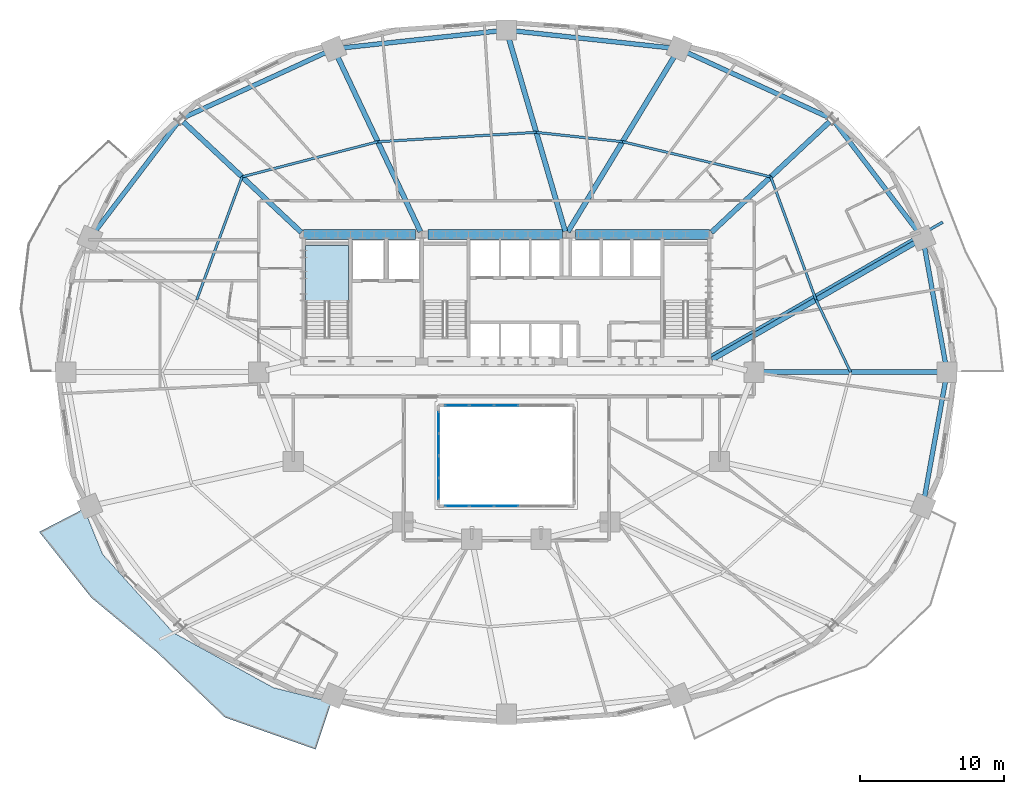
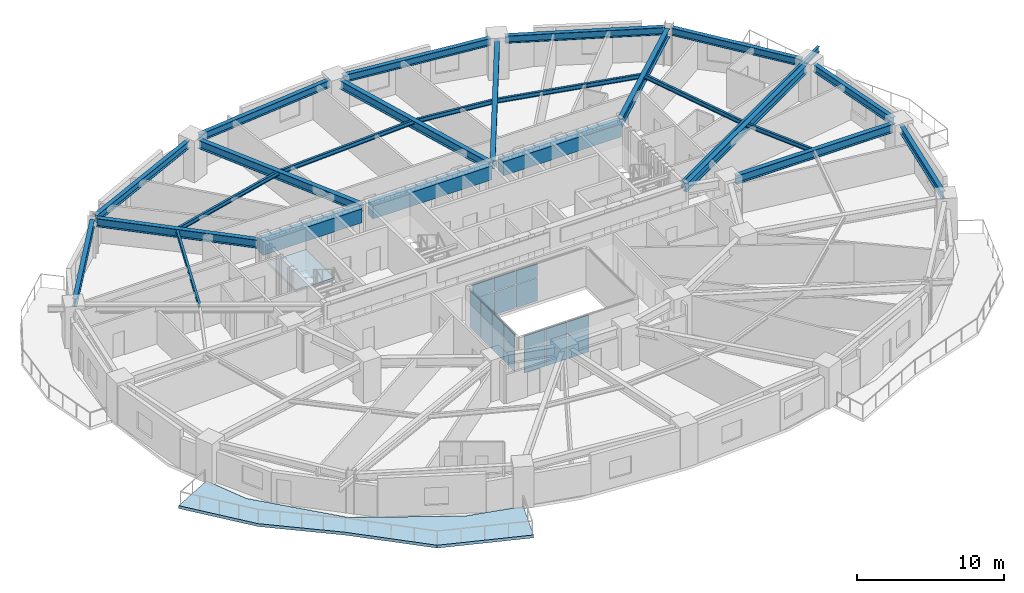
# One storey, part 7 of 17: 26 beams, 20 plates, 2 slabs, 4 elements without a shape of their own.
"""IFC4 building model written with IfcOpenShell, lengths in metres."""

from ifc_helpers import new_model, si_unit, direction, frame, origin, origin_2d, place, context, subcontext, project, spatial, polyline, rectangle, i_section, outline, extrude, material, layer, layer_set, material_profile, profile_set, type_object, element, aggregate, save


model = new_model("IFC4")

# Units and contexts
model_context = context("Model", 3, precision=1e-05, world=origin(), true_north=direction((0.0, 1.0)))
body_context = subcontext(model_context, "Body", "Model", "MODEL_VIEW")
ifc_project = project(units=[si_unit("LENGTHUNIT", "METRE"), si_unit("AREAUNIT", "SQUARE_METRE"), si_unit("VOLUMEUNIT", "CUBIC_METRE"), si_unit("PLANEANGLEUNIT", "RADIAN"), si_unit("MASSUNIT", "GRAM", prefix="KILO")], contexts=[model_context])

# Site, building, storey
site_placement = place(None, origin())
site = spatial("IfcSite", under=ifc_project, at=site_placement, CompositionType="ELEMENT")
building_placement = place(site_placement, origin())
building = spatial("IfcBuilding", under=site, at=building_placement, Name="Haldorwick Loom Tower", CompositionType="ELEMENT")
storey_placement = place(building_placement, frame((0.0, 0.0, 61.949951171875)))
storey = spatial("IfcBuildingStorey", under=building, at=storey_placement, Name="L16", CompositionType="ELEMENT", Elevation=61.949951171875)

# Beams
ifc_material_1 = material(Name="Steel CSA G40.21 350W", Category="steel")
ifc_material_profile_1 = material_profile(ifc_material_1, i_section(OverallWidth=0.193115234375, OverallDepth=0.466064453125, WebThickness=0.011474609375, FlangeThickness=0.01904296875, at=origin_2d()), Name="W460X97", Category="steel")
ifc_profile_set_1 = profile_set([ifc_material_profile_1], Name="Steel CSA G40.21 350W")
beam_type_1 = type_object("IfcBeamType", Name="STR-BM-BAL460", PredefinedType="BEAM", material=ifc_profile_set_1)
beam_1_placement = place(storey_placement, frame((50.125244140625, 27.10498046875, 2.97705078125), z_axis=(0.866607024941, 0.49899124674, 0.0), x_axis=(-0.49899124674, 0.866607024941, 0.0)))
element("IfcBeam", 1, at=beam_1_placement, inside=storey, type_object=beam_type_1, Name="L16 Continuous Back-Spanned Balcony Beam 4", PredefinedType="BEAM", context=body_context, shape_type="SweptSolid", body=[
    extrude(i_section(OverallWidth=0.193115234375, OverallDepth=0.466064453125, WebThickness=0.011474609375, FlangeThickness=0.01904296875, at=origin_2d()), origin(), (0.0, 0.0, 1.0), 18.65771484375),
])
ifc_material_2 = material(Name="Concrete C60 (60 MPa)", Category="concrete")
ifc_material_profile_2 = material_profile(ifc_material_2, rectangle(XDim=0.699951171875, YDim=1.14990234375, at=origin_2d()), Name="RC700X1150", Category="concrete")
ifc_profile_set_2 = profile_set([ifc_material_profile_2], Name="Concrete C60 (60 MPa)")
beam_type_2 = type_object("IfcBeamType", Name="STR-BM-CB1150", PredefinedType="LINTEL", material=ifc_profile_set_2)
beam_2_placement = place(storey_placement, frame((21.89990234375, 35.550048828125, 2.635009765625), z_axis=(1.0, 0.0, 0.0), x_axis=(0.0, 1.0, 0.0)))
element("IfcBeam", 2, at=beam_2_placement, inside=storey, type_object=beam_type_2, Name="L16 Core Coupling Beam CB-N1", PredefinedType="LINTEL", context=body_context, shape_type="SweptSolid", body=[
    extrude(rectangle(XDim=0.699951171875, YDim=1.14990234375, at=origin_2d()), origin(), (0.0, 0.0, 1.0), 7.800048828125),
])
beam_3_placement = place(storey_placement, frame((30.550048828125, 35.550048828125, 2.635009765625), z_axis=(1.0, 0.0, 0.0), x_axis=(0.0, 1.0, 0.0)))
element("IfcBeam", 3, at=beam_3_placement, inside=storey, type_object=beam_type_2, Name="L16 Core Coupling Beam CB-N2", PredefinedType="LINTEL", context=body_context, shape_type="SweptSolid", body=[
    extrude(rectangle(XDim=0.699951171875, YDim=1.14990234375, at=origin_2d()), origin(), (0.0, 0.0, 1.0), 9.349853515625),
])
beam_4_placement = place(storey_placement, frame((40.800048828125, 35.550048828125, 2.635009765625), z_axis=(1.0, 0.0, 0.0), x_axis=(0.0, 1.0, 0.0)))
element("IfcBeam", 4, at=beam_4_placement, inside=storey, type_object=beam_type_2, Name="L16 Core Coupling Beam CB-N3", PredefinedType="LINTEL", context=body_context, shape_type="SweptSolid", body=[
    extrude(rectangle(XDim=0.699951171875, YDim=1.14990234375, at=origin_2d()), origin(), (0.0, 0.0, 1.0), 9.300048828125),
])
ifc_material_profile_3 = material_profile(ifc_material_1, i_section(OverallWidth=0.172119140625, OverallDepth=0.35791015625, WebThickness=0.0078125, FlangeThickness=0.01318359375, at=origin_2d()), Name="W360X57", Category="steel")
ifc_profile_set_3 = profile_set([ifc_material_profile_3], Name="Steel CSA G40.21 350W")
beam_type_3 = type_object("IfcBeamType", Name="STR-BM-J360", PredefinedType="JOIST", material=ifc_profile_set_3)
beam_5_placement = place(storey_placement, frame((59.89794921875, 26.0, 3.031005859375), z_axis=(-0.431630738849, 0.902050389546, 0.0), x_axis=(-0.902050389546, -0.431630738849, 0.0)))
element("IfcBeam", 5, at=beam_5_placement, inside=storey, type_object=beam_type_3, Name="L16 Mid-Bay Secondary Joist 1", PredefinedType="JOIST", context=body_context, shape_type="SweptSolid", body=[
    extrude(i_section(OverallWidth=0.172119140625, OverallDepth=0.35791015625, WebThickness=0.0078125, FlangeThickness=0.01318359375, at=origin_2d()), origin(), (0.0, 0.0, 1.0), 5.5703125),
])
beam_6_placement = place(storey_placement, frame((57.49365234375, 31.024658203125, 3.031005859375), z_axis=(-0.345576005762, 0.938390763084, 0.0), x_axis=(-0.938390763084, -0.345576005762, 0.0)))
element("IfcBeam", 6, at=beam_6_placement, inside=storey, type_object=beam_type_3, Name="L16 Mid-Bay Secondary Joist 2", PredefinedType="JOIST", context=body_context, shape_type="SweptSolid", body=[
    extrude(i_section(OverallWidth=0.172119140625, OverallDepth=0.35791015625, WebThickness=0.0078125, FlangeThickness=0.01318359375, at=origin_2d()), origin(), (0.0, 0.0, 1.0), 9.0966796875),
])
beam_7_placement = place(storey_placement, frame((54.35009765625, 39.560791015625, 3.031005859375), z_axis=(-0.973016191143, 0.230736845289, 0.0), x_axis=(-0.230736845289, -0.973016191143, 0.0)))
element("IfcBeam", 7, at=beam_7_placement, inside=storey, type_object=beam_type_3, Name="L16 Mid-Bay Secondary Joist 3", PredefinedType="JOIST", context=body_context, shape_type="SweptSolid", body=[
    extrude(i_section(OverallWidth=0.172119140625, OverallDepth=0.35791015625, WebThickness=0.0078125, FlangeThickness=0.01318359375, at=origin_2d()), origin(), (0.0, 0.0, 1.0), 10.5712890625),
])
beam_8_placement = place(storey_placement, frame((44.06396484375, 42.0, 3.031005859375), z_axis=(-0.994163660215, 0.107882420753, 0.0), x_axis=(-0.107882420753, -0.994163660215, 0.0)))
element("IfcBeam", 8, at=beam_8_placement, inside=storey, type_object=beam_type_3, Name="L16 Mid-Bay Secondary Joist 4", PredefinedType="JOIST", context=body_context, shape_type="SweptSolid", body=[
    extrude(i_section(OverallWidth=0.172119140625, OverallDepth=0.35791015625, WebThickness=0.0078125, FlangeThickness=0.01318359375, at=origin_2d()), origin(), (0.0, 0.0, 1.0), 6.024169921875),
])
beam_9_placement = place(storey_placement, frame((38.074951171875, 42.64990234375, 3.031005859375), z_axis=(-0.998258904552, -0.058984400336, 0.0), x_axis=(0.058984400336, -0.998258904552, 0.0)))
element("IfcBeam", 9, at=beam_9_placement, inside=storey, type_object=beam_type_3, Name="L16 Mid-Bay Secondary Joist 5", PredefinedType="JOIST", context=body_context, shape_type="SweptSolid", body=[
    extrude(i_section(OverallWidth=0.172119140625, OverallDepth=0.35791015625, WebThickness=0.0078125, FlangeThickness=0.01318359375, at=origin_2d()), origin(), (0.0, 0.0, 1.0), 11.018310546875),
])
beam_10_placement = place(storey_placement, frame((27.075927734375, 42.0, 3.031005859375), z_axis=(-0.968110955806, -0.250521809927, 0.0), x_axis=(0.250521809927, -0.968110955806, 0.0)))
element("IfcBeam", 10, at=beam_10_placement, inside=storey, type_object=beam_type_3, Name="L16 Mid-Bay Secondary Joist 6", PredefinedType="JOIST", context=body_context, shape_type="SweptSolid", body=[
    extrude(i_section(OverallWidth=0.172119140625, OverallDepth=0.35791015625, WebThickness=0.0078125, FlangeThickness=0.01318359375, at=origin_2d()), origin(), (0.0, 0.0, 1.0), 9.736572265625),
])
beam_11_placement = place(storey_placement, frame((17.64990234375, 39.560791015625, 3.031005859375), z_axis=(-0.345576005762, -0.938390763084, 0.0), x_axis=(0.938390763084, -0.345576005762, 0.0)))
element("IfcBeam", 11, at=beam_11_placement, inside=storey, type_object=beam_type_3, Name="L16 Mid-Bay Secondary Joist 7", PredefinedType="JOIST", context=body_context, shape_type="SweptSolid", body=[
    extrude(i_section(OverallWidth=0.172119140625, OverallDepth=0.35791015625, WebThickness=0.0078125, FlangeThickness=0.01318359375, at=origin_2d()), origin(), (0.0, 0.0, 1.0), 9.0966796875),
])
ifc_material_profile_4 = material_profile(ifc_material_1, i_section(OverallWidth=0.324951171875, OverallDepth=0.615966796875, WebThickness=0.013916015625, FlangeThickness=0.021484375, at=origin_2d()), Name="W610X174", Category="steel")
ifc_profile_set_4 = profile_set([ifc_material_profile_4], Name="Steel CSA G40.21 350W")
beam_type_4 = type_object("IfcBeamType", Name="STR-BM-SP610", PredefinedType="SPANDREL", material=ifc_profile_set_4)
beam_12_placement = place(storey_placement, frame((66.503662109375, 26.51171875, 2.902099609375), z_axis=(-0.177641139482, 0.984095333575, 0.0), x_axis=(-0.984095333575, -0.177641139482, 0.0)))
element("IfcBeam", 12, at=beam_12_placement, inside=storey, type_object=beam_type_4, Name="L16 Perimeter Spandrel 1", PredefinedType="SPANDREL", context=body_context, shape_type="SweptSolid", body=[
    extrude(i_section(OverallWidth=0.324951171875, OverallDepth=0.615966796875, WebThickness=0.013916015625, FlangeThickness=0.021484375, at=origin_2d()), origin(), (0.0, 0.0, 1.0), 8.40966796875),
])
beam_13_placement = place(storey_placement, frame((64.602783203125, 35.713134765625, 2.902099609375), z_axis=(-0.605084557744, 0.796161213562, 0.0), x_axis=(-0.796161213562, -0.605084557744, 0.0)))
element("IfcBeam", 13, at=beam_13_placement, inside=storey, type_object=beam_type_4, Name="L16 Perimeter Spandrel 2", PredefinedType="SPANDREL", context=body_context, shape_type="SweptSolid", body=[
    extrude(i_section(OverallWidth=0.324951171875, OverallDepth=0.615966796875, WebThickness=0.013916015625, FlangeThickness=0.021484375, at=origin_2d()), origin(), (0.0, 0.0, 1.0), 9.595703125),
])
beam_14_placement = place(storey_placement, frame((58.380126953125, 43.68603515625, 2.902099609375), z_axis=(-0.909173805321, 0.416416848504, 0.0), x_axis=(-0.416416848504, -0.909173805321, 0.0)))
element("IfcBeam", 14, at=beam_14_placement, inside=storey, type_object=beam_type_4, Name="L16 Perimeter Spandrel 3", PredefinedType="SPANDREL", context=body_context, shape_type="SweptSolid", body=[
    extrude(i_section(OverallWidth=0.324951171875, OverallDepth=0.615966796875, WebThickness=0.013916015625, FlangeThickness=0.021484375, at=origin_2d()), origin(), (0.0, 0.0, 1.0), 10.92138671875),
])
for number, where, z_axis, x_axis, name in (
    (15, (47.4609375, 48.50634765625, 2.902099609375), (-0.994164438636, 0.107875247167, 0.0), (-0.107875247167, -0.994164438636, 0.0), "L16 Perimeter Spandrel 4"),
    (16, (35.48291015625, 49.69384765625, 2.902099609375), (-0.994164438636, -0.107875247167, 0.0), (0.107875247167, -0.994164438636, 0.0), "L16 Perimeter Spandrel 5"),
):
    element("IfcBeam", number, at=place(storey_placement, frame(where, z_axis=z_axis, x_axis=x_axis)), inside=storey, type_object=beam_type_4, Name=name, PredefinedType="SPANDREL", context=body_context, shape_type="SweptSolid", body=[
        extrude(i_section(OverallWidth=0.324951171875, OverallDepth=0.615966796875, WebThickness=0.013916015625, FlangeThickness=0.021484375, at=origin_2d()), origin(), (0.0, 0.0, 1.0), 11.008056640625),
    ])
beam_15_placement = place(storey_placement, frame((23.54931640625, 48.23388671875, 2.902099609375), z_axis=(-0.909173805321, -0.416416848504, 0.0), x_axis=(0.416416848504, -0.909173805321, 0.0)))
element("IfcBeam", 17, at=beam_15_placement, inside=storey, type_object=beam_type_4, Name="L16 Perimeter Spandrel 6", PredefinedType="SPANDREL", context=body_context, shape_type="SweptSolid", body=[
    extrude(i_section(OverallWidth=0.324951171875, OverallDepth=0.615966796875, WebThickness=0.013916015625, FlangeThickness=0.021484375, at=origin_2d()), origin(), (0.0, 0.0, 1.0), 10.92138671875),
])
beam_16_placement = place(storey_placement, frame((13.203369140625, 43.352783203125, 2.902099609375), z_axis=(-0.605084557744, -0.796161213562, 0.0), x_axis=(0.796161213562, -0.605084557744, 0.0)))
element("IfcBeam", 18, at=beam_16_placement, inside=storey, type_object=beam_type_4, Name="L16 Perimeter Spandrel 7", PredefinedType="SPANDREL", context=body_context, shape_type="SweptSolid", body=[
    extrude(i_section(OverallWidth=0.324951171875, OverallDepth=0.615966796875, WebThickness=0.013916015625, FlangeThickness=0.021484375, at=origin_2d()), origin(), (0.0, 0.0, 1.0), 9.595703125),
])
beam_17_placement = place(storey_placement, frame((65.009765625, 17.21240234375, 2.902099609375), z_axis=(0.177641139482, 0.984095333575, 0.0), x_axis=(-0.984095333575, 0.177641139482, 0.0)))
element("IfcBeam", 19, at=beam_17_placement, inside=storey, type_object=beam_type_4, Name="L16 Perimeter Spandrel 16", PredefinedType="SPANDREL", context=body_context, shape_type="SweptSolid", body=[
    extrude(i_section(OverallWidth=0.324951171875, OverallDepth=0.615966796875, WebThickness=0.013916015625, FlangeThickness=0.021484375, at=origin_2d()), origin(), (0.0, 0.0, 1.0), 8.40966796875),
])
ifc_material_profile_5 = material_profile(ifc_material_1, i_section(OverallWidth=0.35498046875, OverallDepth=0.695068359375, WebThickness=0.015380859375, FlangeThickness=0.02490234375, at=origin_2d()), Name="W690X217", Category="steel")
ifc_profile_set_5 = profile_set([ifc_material_profile_5], Name="Steel CSA G40.21 350W")
beam_type_5 = type_object("IfcBeamType", Name="STR-BM-W690", PredefinedType="BEAM", material=ifc_profile_set_5)
beam_18_placement = place(storey_placement, frame((53.719970703125, 26.0, 2.862548828125), z_axis=(1.0, 0.0, 0.0), x_axis=(0.0, 1.0, 0.0)))
element("IfcBeam", 20, at=beam_18_placement, inside=storey, type_object=beam_type_5, Name="L16 Radial Floor Girder 1", PredefinedType="BEAM", context=body_context, shape_type="SweptSolid", body=[
    extrude(i_section(OverallWidth=0.35498046875, OverallDepth=0.695068359375, WebThickness=0.015380859375, FlangeThickness=0.02490234375, at=origin_2d()), origin(), (0.0, 0.0, 1.0), 12.35595703125),
])
beam_19_placement = place(storey_placement, frame((50.264892578125, 26.8623046875, 2.862548828125), z_axis=(0.86660566838, 0.498993602696, 0.0), x_axis=(-0.498993602696, 0.86660566838, 0.0)))
element("IfcBeam", 21, at=beam_19_placement, inside=storey, type_object=beam_type_5, Name="L16 Radial Floor Girder 2", PredefinedType="BEAM", context=body_context, shape_type="SweptSolid", body=[
    extrude(i_section(OverallWidth=0.35498046875, OverallDepth=0.695068359375, WebThickness=0.015380859375, FlangeThickness=0.02490234375, at=origin_2d()), origin(), (0.0, 0.0, 1.0), 16.387939453125),
])
beam_20_placement = place(storey_placement, frame((50.234130859375, 35.703857421875, 2.862548828125), z_axis=(0.729689033278, 0.683779141766, 0.0), x_axis=(-0.683779141766, 0.729689033278, 0.0)))
element("IfcBeam", 22, at=beam_20_placement, inside=storey, type_object=beam_type_5, Name="L16 Radial Floor Girder 3", PredefinedType="BEAM", context=body_context, shape_type="SweptSolid", body=[
    extrude(i_section(OverallWidth=0.35498046875, OverallDepth=0.695068359375, WebThickness=0.015380859375, FlangeThickness=0.02490234375, at=origin_2d()), origin(), (0.0, 0.0, 1.0), 11.231201171875),
])
beam_21_placement = place(storey_placement, frame((40.2666015625, 35.742431640625, 2.862548828125), z_axis=(0.518781813409, 0.854906679162, 0.0), x_axis=(-0.854906679162, 0.518781813409, 0.0)))
element("IfcBeam", 23, at=beam_21_placement, inside=storey, type_object=beam_type_5, Name="L16 Radial Floor Girder 4", PredefinedType="BEAM", context=body_context, shape_type="SweptSolid", body=[
    extrude(i_section(OverallWidth=0.35498046875, OverallDepth=0.695068359375, WebThickness=0.015380859375, FlangeThickness=0.02490234375, at=origin_2d()), origin(), (0.0, 0.0, 1.0), 14.344482421875),
])
beam_22_placement = place(storey_placement, frame((40.0869140625, 35.76611328125, 2.862548828125), z_axis=(-0.28051378914, 0.959849995625, 0.0), x_axis=(-0.959849995625, -0.28051378914, 0.0)))
element("IfcBeam", 24, at=beam_22_placement, inside=storey, type_object=beam_type_5, Name="L16 Radial Floor Girder 5", PredefinedType="BEAM", context=body_context, shape_type="SweptSolid", body=[
    extrude(i_section(OverallWidth=0.35498046875, OverallDepth=0.695068359375, WebThickness=0.015380859375, FlangeThickness=0.02490234375, at=origin_2d()), origin(), (0.0, 0.0, 1.0), 14.048828125),
])
beam_23_placement = place(storey_placement, frame((30.03369140625, 35.75341796875, 2.862548828125), z_axis=(-0.427945149389, 0.903804707398, 0.0), x_axis=(-0.903804707398, -0.427945149389, 0.0)))
element("IfcBeam", 25, at=beam_23_placement, inside=storey, type_object=beam_type_5, Name="L16 Radial Floor Girder 6", PredefinedType="BEAM", context=body_context, shape_type="SweptSolid", body=[
    extrude(i_section(OverallWidth=0.35498046875, OverallDepth=0.695068359375, WebThickness=0.015380859375, FlangeThickness=0.02490234375, at=origin_2d()), origin(), (0.0, 0.0, 1.0), 13.528076171875),
])
beam_24_placement = place(storey_placement, frame((21.765869140625, 35.703857421875, 2.862548828125), z_axis=(-0.729689033278, 0.683779141766, 0.0), x_axis=(-0.683779141766, -0.729689033278, 0.0)))
element("IfcBeam", 26, at=beam_24_placement, inside=storey, type_object=beam_type_5, Name="L16 Radial Floor Girder 7", PredefinedType="BEAM", context=body_context, shape_type="SweptSolid", body=[
    extrude(i_section(OverallWidth=0.35498046875, OverallDepth=0.695068359375, WebThickness=0.015380859375, FlangeThickness=0.02490234375, at=origin_2d()), origin(), (0.0, 0.0, 1.0), 11.231201171875),
])

# Curtain wall, plates
ifc_material_3 = material(Name="Thermally Broken Anodized Aluminium Curtain Wall Framing", Category="aluminium")
curtain_wall_type = type_object("IfcCurtainWallType", Name="ARC-CW-03", PredefinedType="NOTDEFINED", material=ifc_material_3)
curtain_wall_1_placement = place(storey_placement, origin())
curtain_wall_1 = element("IfcCurtainWall", 27, at=curtain_wall_1_placement, inside=storey, type_object=curtain_wall_type, Name="L16 Atrium Glazed Screen S", PredefinedType="NOTDEFINED")
ifc_material_4 = material(Name="Triple-Glazed Low-E Argon Insulated Glazing Unit", Category="glass")
ifc_layer_1 = layer(ifc_material_4, 0.04296875, Name="Triple-Glazed Low-E Argon Insulated Glazing Unit", Category="glass")
ifc_layer_set_1 = layer_set([ifc_layer_1], Name="Triple-Glazed Low-E Argon Insulated Glazing Unit")
plate_type = type_object("IfcPlateType", Name="ARC-CWP-03", PredefinedType="CURTAIN_PANEL", material=ifc_layer_set_1)
plate_1_placement = place(storey_placement, frame((36.0, 16.699951171875, 0.066162109375), z_axis=(0.0, 0.0, 1.0), x_axis=(-1.0, 0.0, 0.0)))
plate_1 = element("IfcPlate", 28, at=plate_1_placement, type_object=plate_type, Name="CW-03 panel 3.1", PredefinedType="CURTAIN_PANEL", context=body_context, shape_type="SweptSolid", body=[
    extrude(rectangle(XDim=1.654052734375, YDim=0.04296875, at=origin_2d()), origin(), (0.0, 0.0, 1.0), 1.90087890625),
])
plate_2_placement = place(storey_placement, frame((36.0, 16.699951171875, 2.033203125), z_axis=(0.0, 0.0, 1.0), x_axis=(-1.0, 0.0, 0.0)))
plate_2 = element("IfcPlate", 29, at=plate_2_placement, type_object=plate_type, Name="CW-03 panel 3.2", PredefinedType="CURTAIN_PANEL", context=body_context, shape_type="SweptSolid", body=[
    extrude(rectangle(XDim=1.654052734375, YDim=0.04296875, at=origin_2d()), origin(), (0.0, 0.0, 1.0), 1.111083984375),
])
plate_3_placement = place(storey_placement, frame((34.280029296875, 16.699951171875, 0.066162109375), z_axis=(0.0, 0.0, 1.0), x_axis=(-1.0, 0.0, 0.0)))
plate_3 = element("IfcPlate", 30, at=plate_3_placement, type_object=plate_type, Name="CW-03 panel 4.1", PredefinedType="CURTAIN_PANEL", context=body_context, shape_type="SweptSolid", body=[
    extrude(rectangle(XDim=1.654052734375, YDim=0.04296875, at=origin_2d()), origin(), (0.0, 0.0, 1.0), 1.90087890625),
])
plate_4_placement = place(storey_placement, frame((34.280029296875, 16.699951171875, 2.033203125), z_axis=(0.0, 0.0, 1.0), x_axis=(-1.0, 0.0, 0.0)))
plate_4 = element("IfcPlate", 31, at=plate_4_placement, type_object=plate_type, Name="CW-03 panel 4.2", PredefinedType="CURTAIN_PANEL", context=body_context, shape_type="SweptSolid", body=[
    extrude(rectangle(XDim=1.654052734375, YDim=0.04296875, at=origin_2d()), origin(), (0.0, 0.0, 1.0), 1.111083984375),
])
plate_5_placement = place(storey_placement, frame((32.576416015625, 16.699951171875, 0.066162109375), z_axis=(0.0, 0.0, 1.0), x_axis=(-1.0, 0.0, 0.0)))
plate_5 = element("IfcPlate", 32, at=plate_5_placement, type_object=plate_type, Name="CW-03 panel 5.1", PredefinedType="CURTAIN_PANEL", context=body_context, shape_type="SweptSolid", body=[
    extrude(rectangle(XDim=1.62109375, YDim=0.04296875, at=origin_2d()), origin(), (0.0, 0.0, 1.0), 1.90087890625),
])
plate_6_placement = place(storey_placement, frame((32.576416015625, 16.699951171875, 2.033203125), z_axis=(0.0, 0.0, 1.0), x_axis=(-1.0, 0.0, 0.0)))
plate_6 = element("IfcPlate", 33, at=plate_6_placement, type_object=plate_type, Name="CW-03 panel 5.2", PredefinedType="CURTAIN_PANEL", context=body_context, shape_type="SweptSolid", body=[
    extrude(rectangle(XDim=1.62109375, YDim=0.04296875, at=origin_2d()), origin(), (0.0, 0.0, 1.0), 1.111083984375),
])
aggregate(curtain_wall_1, [plate_1, plate_2, plate_3, plate_4, plate_5, plate_6])

curtain_wall_2_placement = place(storey_placement, origin())
curtain_wall_2 = element("IfcCurtainWall", 34, at=curtain_wall_2_placement, inside=storey, type_object=curtain_wall_type, Name="L16 Atrium Glazed Screen N", PredefinedType="NOTDEFINED")
plate_7_placement = place(storey_placement, frame((32.576416015625, 23.699951171875, 0.066162109375), z_axis=(0.0, 0.0, 1.0), x_axis=(1.0, 0.0, 0.0)))
plate_7 = element("IfcPlate", 35, at=plate_7_placement, type_object=plate_type, Name="CW-03 panel 1.1", PredefinedType="CURTAIN_PANEL", context=body_context, shape_type="SweptSolid", body=[
    extrude(rectangle(XDim=1.62109375, YDim=0.04296875, at=origin_2d()), origin(), (0.0, 0.0, 1.0), 1.90087890625),
])
plate_8_placement = place(storey_placement, frame((32.576416015625, 23.699951171875, 2.033203125), z_axis=(0.0, 0.0, 1.0), x_axis=(1.0, 0.0, 0.0)))
plate_8 = element("IfcPlate", 36, at=plate_8_placement, type_object=plate_type, Name="CW-03 panel 1.2", PredefinedType="CURTAIN_PANEL", context=body_context, shape_type="SweptSolid", body=[
    extrude(rectangle(XDim=1.62109375, YDim=0.04296875, at=origin_2d()), origin(), (0.0, 0.0, 1.0), 1.111083984375),
])
plate_9_placement = place(storey_placement, frame((34.280029296875, 23.699951171875, 0.066162109375), z_axis=(0.0, 0.0, 1.0), x_axis=(1.0, 0.0, 0.0)))
plate_9 = element("IfcPlate", 37, at=plate_9_placement, type_object=plate_type, Name="CW-03 panel 2.1", PredefinedType="CURTAIN_PANEL", context=body_context, shape_type="SweptSolid", body=[
    extrude(rectangle(XDim=1.654052734375, YDim=0.04296875, at=origin_2d()), origin(), (0.0, 0.0, 1.0), 1.90087890625),
])
plate_10_placement = place(storey_placement, frame((34.280029296875, 23.699951171875, 2.033203125), z_axis=(0.0, 0.0, 1.0), x_axis=(1.0, 0.0, 0.0)))
plate_10 = element("IfcPlate", 38, at=plate_10_placement, type_object=plate_type, Name="CW-03 panel 2.2", PredefinedType="CURTAIN_PANEL", context=body_context, shape_type="SweptSolid", body=[
    extrude(rectangle(XDim=1.654052734375, YDim=0.04296875, at=origin_2d()), origin(), (0.0, 0.0, 1.0), 1.111083984375),
])
plate_11_placement = place(storey_placement, frame((36.0, 23.699951171875, 0.066162109375), z_axis=(0.0, 0.0, 1.0), x_axis=(1.0, 0.0, 0.0)))
plate_11 = element("IfcPlate", 39, at=plate_11_placement, type_object=plate_type, Name="CW-03 panel 3.1", PredefinedType="CURTAIN_PANEL", context=body_context, shape_type="SweptSolid", body=[
    extrude(rectangle(XDim=1.654052734375, YDim=0.04296875, at=origin_2d()), origin(), (0.0, 0.0, 1.0), 1.90087890625),
])
plate_12_placement = place(storey_placement, frame((36.0, 23.699951171875, 2.033203125), z_axis=(0.0, 0.0, 1.0), x_axis=(1.0, 0.0, 0.0)))
plate_12 = element("IfcPlate", 40, at=plate_12_placement, type_object=plate_type, Name="CW-03 panel 3.2", PredefinedType="CURTAIN_PANEL", context=body_context, shape_type="SweptSolid", body=[
    extrude(rectangle(XDim=1.654052734375, YDim=0.04296875, at=origin_2d()), origin(), (0.0, 0.0, 1.0), 1.111083984375),
])
aggregate(curtain_wall_2, [plate_7, plate_8, plate_9, plate_10, plate_11, plate_12])

curtain_wall_3_placement = place(storey_placement, origin())
curtain_wall_3 = element("IfcCurtainWall", 41, at=curtain_wall_3_placement, inside=storey, type_object=curtain_wall_type, Name="L16 Atrium Glazed Screen W", PredefinedType="NOTDEFINED")
plate_13_placement = place(storey_placement, frame((31.300048828125, 17.8916015625, 0.066162109375), z_axis=(0.0, 0.0, 1.0), x_axis=(0.0, 1.0, 0.0)))
plate_13 = element("IfcPlate", 42, at=plate_13_placement, type_object=plate_type, Name="CW-03 panel 1.1", PredefinedType="CURTAIN_PANEL", context=body_context, shape_type="SweptSolid", body=[
    extrude(rectangle(XDim=1.450927734375, YDim=0.04296875, at=origin_2d()), origin(), (0.0, 0.0, 1.0), 1.90087890625),
])
plate_14_placement = place(storey_placement, frame((31.300048828125, 17.8916015625, 2.033203125), z_axis=(0.0, 0.0, 1.0), x_axis=(0.0, 1.0, 0.0)))
plate_14 = element("IfcPlate", 43, at=plate_14_placement, type_object=plate_type, Name="CW-03 panel 1.2", PredefinedType="CURTAIN_PANEL", context=body_context, shape_type="SweptSolid", body=[
    extrude(rectangle(XDim=1.450927734375, YDim=0.04296875, at=origin_2d()), origin(), (0.0, 0.0, 1.0), 1.111083984375),
])
plate_15_placement = place(storey_placement, frame((31.300048828125, 19.425048828125, 0.066162109375), z_axis=(0.0, 0.0, 1.0), x_axis=(0.0, 1.0, 0.0)))
plate_15 = element("IfcPlate", 44, at=plate_15_placement, type_object=plate_type, Name="CW-03 panel 2.1", PredefinedType="CURTAIN_PANEL", context=body_context, shape_type="SweptSolid", body=[
    extrude(rectangle(XDim=1.48388671875, YDim=0.04296875, at=origin_2d()), origin(), (0.0, 0.0, 1.0), 1.90087890625),
])
plate_16_placement = place(storey_placement, frame((31.300048828125, 19.425048828125, 2.033203125), z_axis=(0.0, 0.0, 1.0), x_axis=(0.0, 1.0, 0.0)))
plate_16 = element("IfcPlate", 45, at=plate_16_placement, type_object=plate_type, Name="CW-03 panel 2.2", PredefinedType="CURTAIN_PANEL", context=body_context, shape_type="SweptSolid", body=[
    extrude(rectangle(XDim=1.48388671875, YDim=0.04296875, at=origin_2d()), origin(), (0.0, 0.0, 1.0), 1.111083984375),
])
plate_17_placement = place(storey_placement, frame((31.300048828125, 20.97509765625, 0.066162109375), z_axis=(0.0, 0.0, 1.0), x_axis=(0.0, 1.0, 0.0)))
plate_17 = element("IfcPlate", 46, at=plate_17_placement, type_object=plate_type, Name="CW-03 panel 3.1", PredefinedType="CURTAIN_PANEL", context=body_context, shape_type="SweptSolid", body=[
    extrude(rectangle(XDim=1.48388671875, YDim=0.04296875, at=origin_2d()), origin(), (0.0, 0.0, 1.0), 1.90087890625),
])
plate_18_placement = place(storey_placement, frame((31.300048828125, 20.97509765625, 2.033203125), z_axis=(0.0, 0.0, 1.0), x_axis=(0.0, 1.0, 0.0)))
plate_18 = element("IfcPlate", 47, at=plate_18_placement, type_object=plate_type, Name="CW-03 panel 3.2", PredefinedType="CURTAIN_PANEL", context=body_context, shape_type="SweptSolid", body=[
    extrude(rectangle(XDim=1.48388671875, YDim=0.04296875, at=origin_2d()), origin(), (0.0, 0.0, 1.0), 1.111083984375),
])
plate_19_placement = place(storey_placement, frame((31.300048828125, 22.508544921875, 0.066162109375), z_axis=(0.0, 0.0, 1.0), x_axis=(0.0, 1.0, 0.0)))
plate_19 = element("IfcPlate", 48, at=plate_19_placement, type_object=plate_type, Name="CW-03 panel 4.1", PredefinedType="CURTAIN_PANEL", context=body_context, shape_type="SweptSolid", body=[
    extrude(rectangle(XDim=1.450927734375, YDim=0.04296875, at=origin_2d()), origin(), (0.0, 0.0, 1.0), 1.90087890625),
])
plate_20_placement = place(storey_placement, frame((31.300048828125, 22.508544921875, 2.033203125), z_axis=(0.0, 0.0, 1.0), x_axis=(0.0, 1.0, 0.0)))
plate_20 = element("IfcPlate", 49, at=plate_20_placement, type_object=plate_type, Name="CW-03 panel 4.2", PredefinedType="CURTAIN_PANEL", context=body_context, shape_type="SweptSolid", body=[
    extrude(rectangle(XDim=1.450927734375, YDim=0.04296875, at=origin_2d()), origin(), (0.0, 0.0, 1.0), 1.111083984375),
])
aggregate(curtain_wall_3, [plate_13, plate_14, plate_15, plate_16, plate_17, plate_18, plate_19, plate_20])

# Slab
ifc_material_5 = material(Name="Concrete C40 (40 MPa)", Category="concrete")
ifc_layer_2 = layer(ifc_material_5, 0.239990234375, Name="Concrete C40 (40 MPa)", Category="concrete")
ifc_layer_set_2 = layer_set([ifc_layer_2], Name="Concrete C40 (40 MPa)")
slab_type_1 = type_object("IfcSlabType", Name="STR-SLB-BAL240", PredefinedType="FLOOR", material=ifc_layer_set_2)
slab_1_placement = place(storey_placement, frame((0.0, 0.0, -0.239990234375)))
element("IfcSlab", 50, at=slab_1_placement, inside=storey, type_object=slab_type_1, Name="L16 Sinusoidal Balcony Terrace BAL_SW", PredefinedType="FLOOR", context=body_context, shape_type="SweptSolid", body=[
    extrude(outline(polyline([(23.84814453125, 3.091064453125), (19.8203125, 4.0966796875), (19.819091796875, 4.096923828125), (19.81787109375, 4.097412109375), (19.81689453125, 4.09814453125), (12.86767578125, 7.92041015625), (12.8662109375, 7.921142578125), (12.86474609375, 7.922119140625), (12.86376953125, 7.92333984375), (7.97119140625, 13.3525390625), (7.97021484375, 13.353515625), (7.969482421875, 13.3544921875), (7.968994140625, 13.355712890625), (7.968505859375, 13.356689453125), (6.675537109375, 16.51708984375), (3.564453125, 14.910400390625), (7.17626953125, 10.352783203125), (11.77685546875, 6.52783203125), (16.4560546875, 2.037109375), (22.75439453125, -0.186279296875), (23.84814453125, 3.091064453125)])), origin(), (0.0, 0.0, 1.0), 0.239990234375),
])

# Stair, slab
stair_type = type_object("IfcStairType", Name="STR-STR-CORE", PredefinedType="HALF_TURN_STAIR", material=ifc_material_5)
stair_placement = place(storey_placement, origin())
stair = element("IfcStair", 51, at=stair_placement, inside=storey, type_object=stair_type, Name="L16 Exit Stair ST-01", PredefinedType="HALF_TURN_STAIR")
ifc_layer_3 = layer(ifc_material_5, 0.199951171875, Name="Concrete C40 (40 MPa)", Category="concrete")
ifc_layer_set_3 = layer_set([ifc_layer_3], Name="Concrete C40 (40 MPa)")
slab_type_2 = type_object("IfcSlabType", Name="STR-SLB-LAND200", PredefinedType="LANDING", material=ifc_layer_set_3)
slab_2_placement = place(storey_placement, frame((0.0, 0.0, 1.525146484375)))
slab_2 = element("IfcSlab", 52, at=slab_2_placement, type_object=slab_type_2, Name="ST-01 landing 1", PredefinedType="LANDING", context=body_context, shape_type="SweptSolid", body=[
    extrude(outline(polyline([(25.050048828125, 30.919921875), (25.050048828125, 34.800048828125), (22.050048828125, 34.800048828125), (22.050048828125, 30.919921875), (25.050048828125, 30.919921875)])), origin(), (0.0, 0.0, 1.0), 0.199951171875),
])
aggregate(stair, [slab_2])

save(model, "model.ifc")
